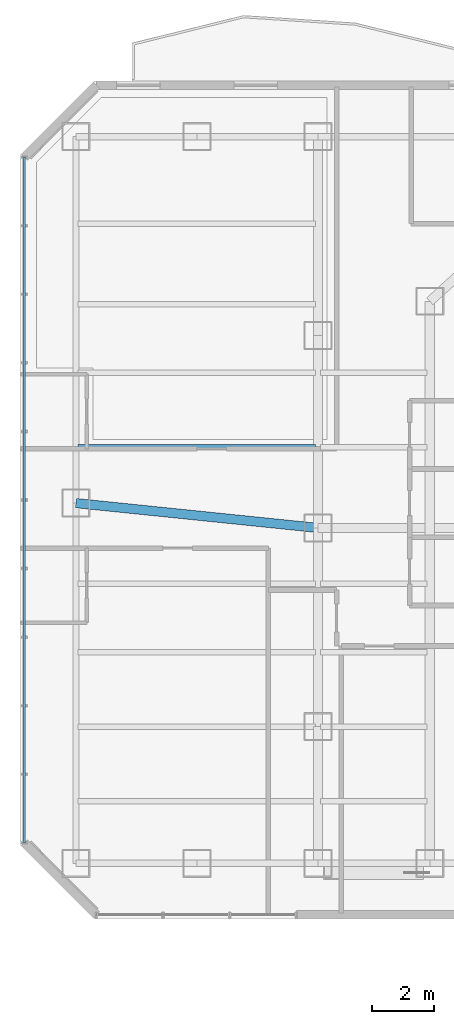
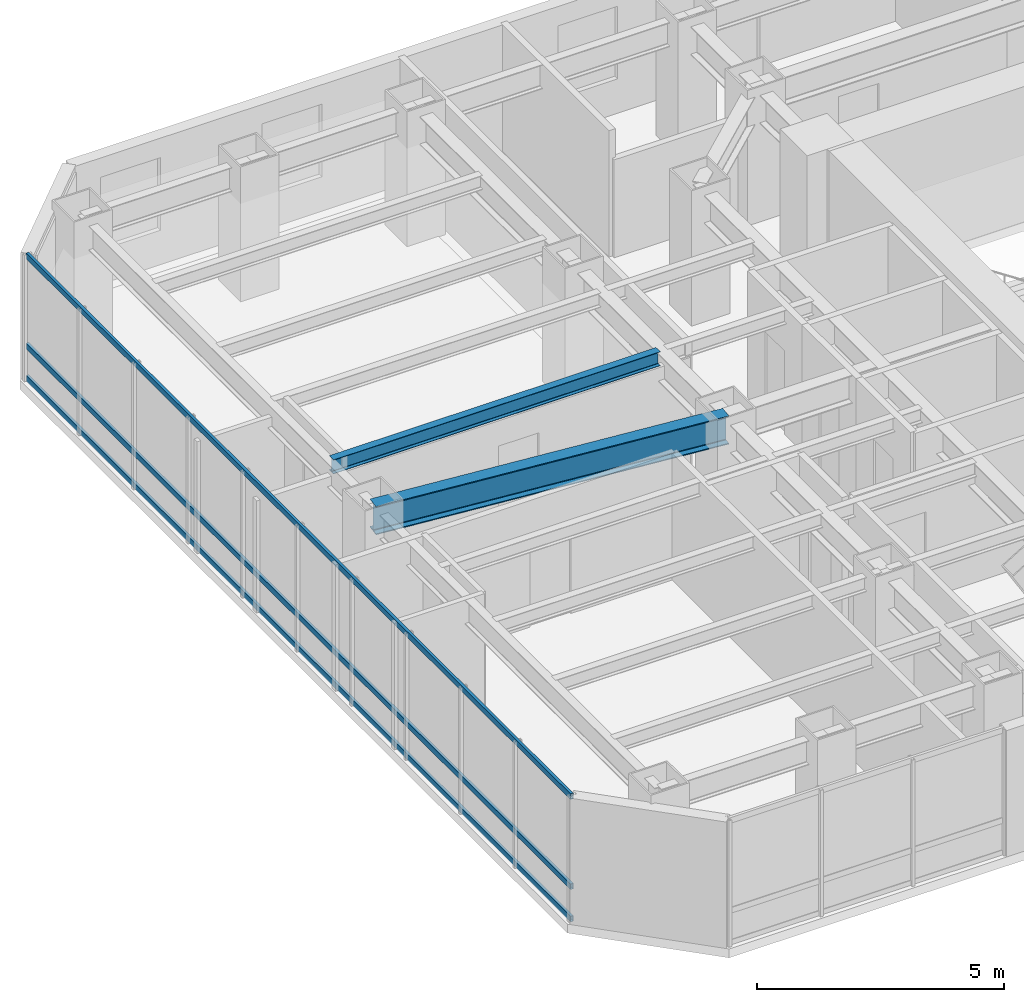
# One storey, part 14 of 31: 3 members, 2 beams, 1 element without a shape of its own.
"""IFC4 building model written with IfcOpenShell, lengths in metres."""

import ifcopenshell
import ifcopenshell.guid

model = None  # the IFC model being written
_history = None  # IfcOwnerHistory: only IFC2X3 demands one
_inside = {}  # id of a spatial element -> (the spatial element, [elements in it])
_under = {}  # id of a project, library or spatial element -> (it, [spatial elements below it])
_declared = {}  # id of a project -> (the project, [libraries it declares])
_typed = {}  # id of a type object -> (the type object, [elements of that type])
_made_of = {}  # id of a material, layer set ... -> (it, [elements and type objects made of it])


def new_model(schema):
    """Start an empty IFC model of exactly this schema.

    Asked for "IFC4X3", IfcOpenShell would pick the latest addendum, in which some entities
    have other attributes; the version numbers below select the first issue.
    IFC2X3 requires an IfcOwnerHistory on every rooted entity: one is made here for all.
    """
    global model, _history
    if schema == "IFC4X3":
        model = ifcopenshell.file(schema_version=(4, 3, 0, 0))
    else:
        model = ifcopenshell.file(schema=schema)
    _inside.clear()
    _under.clear()
    _declared.clear()
    _typed.clear()
    _made_of.clear()
    _history = None
    if model.schema == "IFC2X3":
        org = make("IfcOrganization", Name="unknown")
        user = make(
            "IfcPersonAndOrganization",
            ThePerson=make("IfcPerson", FamilyName="unknown"),
            TheOrganization=org,
        )
        app = make(
            "IfcApplication",
            ApplicationDeveloper=org,
            Version="unknown",
            ApplicationFullName="unknown",
            ApplicationIdentifier="unknown",
        )
        _history = make(
            "IfcOwnerHistory",
            OwningUser=user,
            OwningApplication=app,
            ChangeAction="ADDED",
            CreationDate=0,
        )
    return model


def make(cls, **values):
    """One entity of the class cls with the attributes given. An attribute that is None is left unset."""
    return model.create_entity(
        cls, **{name: value for name, value in values.items() if value is not None}
    )


def rooted(cls, **values):
    """An entity with a GlobalId (a new one), such as an element, a storey or a relation."""
    return make(cls, GlobalId=ifcopenshell.guid.new(), OwnerHistory=_history, **values)


def si_unit(unit_type, name, prefix=None):
    """IfcSIUnit, for example si_unit("LENGTHUNIT", "METRE", prefix="MILLI")."""
    return make("IfcSIUnit", UnitType=unit_type, Prefix=prefix, Name=name)


def assignment(units):
    """IfcUnitAssignment: the units of a project."""
    return None if units is None else make("IfcUnitAssignment", Units=units)


def point(xyz):
    """IfcCartesianPoint."""
    return None if xyz is None else make("IfcCartesianPoint", Coordinates=xyz)


def direction(xyz):
    """IfcDirection."""
    return None if xyz is None else make("IfcDirection", DirectionRatios=xyz)


def frame(location, z_axis=None, x_axis=None):
    """IfcAxis2Placement3D, a coordinate frame: its origin and axes. An axis left out is left unset."""
    return make(
        "IfcAxis2Placement3D",
        Location=point(location),
        Axis=direction(z_axis),
        RefDirection=direction(x_axis),
    )


def frame_2d(location, x_axis=None):
    """IfcAxis2Placement2D, a coordinate frame in the plane: its origin and x axis."""
    return make(
        "IfcAxis2Placement2D", Location=point(location), RefDirection=direction(x_axis)
    )


def origin():
    """The frame at (0, 0, 0) with its axes left unset."""
    return frame((0.0, 0.0, 0.0))


def origin_2d():
    """The frame at (0, 0) in the plane with its x axis left unset."""
    return frame_2d((0.0, 0.0))


def place(relative_to, where):
    """IfcLocalPlacement: puts the frame where relative to a parent placement (None: the world)."""
    return make(
        "IfcLocalPlacement", PlacementRelTo=relative_to, RelativePlacement=where
    )


def context(
    kind, dimensions, precision=None, world=None, true_north=None, identifier=None
):
    """IfcGeometricRepresentationContext, for example the 3D "Model" context."""
    return make(
        "IfcGeometricRepresentationContext",
        ContextIdentifier=identifier,
        ContextType=kind,
        CoordinateSpaceDimension=dimensions,
        Precision=precision,
        WorldCoordinateSystem=world,
        TrueNorth=true_north,
    )


def subcontext(parent, identifier, kind, view, scale=None):
    """IfcGeometricRepresentationSubContext, for example "Body" below "Model"."""
    return make(
        "IfcGeometricRepresentationSubContext",
        ContextIdentifier=identifier,
        ContextType=kind,
        ParentContext=parent,
        TargetScale=scale,
        TargetView=view,
    )


def project(units=None, contexts=None):
    """IfcProject with its units and contexts."""
    return rooted(
        "IfcProject",
        Name="project",
        RepresentationContexts=contexts,
        UnitsInContext=assignment(units),
    )


def spatial(cls, under=None, at=None, **own):
    """A site, building, storey or space (cls), placed at a placement, below another one or the project."""
    s = rooted(cls, ObjectPlacement=at, **own)
    if under is not None:
        _under.setdefault(under.id(), (under, []))[1].append(s)
    return s


def profile(cls, at=None, kind="AREA", **sizes):
    """A parametric profile (cls). Its sizes go by their IFC names, for example OverallWidth=200.0."""
    return make(cls, ProfileType=kind, Position=at, **sizes)


def hollow_rectangle(**sizes):
    """IfcRectangleHollowProfileDef."""
    return profile("IfcRectangleHollowProfileDef", **sizes)


def i_section(**sizes):
    """IfcIShapeProfileDef."""
    return profile("IfcIShapeProfileDef", **sizes)


def extrude(swept, where, along, depth):
    """IfcExtrudedAreaSolid: the profile swept, set in the frame where, extruded along a direction by depth."""
    return make(
        "IfcExtrudedAreaSolid",
        SweptArea=swept,
        Position=where,
        ExtrudedDirection=direction(along),
        Depth=depth,
    )


def shape(context_of_items, identifier, shape_type, items):
    """IfcShapeRepresentation: the items that make up one representation, for example the "Body"."""
    return make(
        "IfcShapeRepresentation",
        ContextOfItems=context_of_items,
        RepresentationIdentifier=identifier,
        RepresentationType=shape_type,
        Items=items,
    )


def material(Name=None, Category=None):
    """IfcMaterial."""
    return make("IfcMaterial", Name=Name, Category=Category)


def layer(
    of_material, thickness, ventilated=None, Name=None, Category=None, Priority=None
):
    """IfcMaterialLayer: one layer of a wall or slab, of a material (None: an air gap)."""
    return make(
        "IfcMaterialLayer",
        Material=of_material,
        LayerThickness=thickness,
        IsVentilated=ventilated,
        Name=Name,
        Category=Category,
        Priority=Priority,
    )


def layer_set(layers, Name=None):
    """IfcMaterialLayerSet."""
    return make("IfcMaterialLayerSet", MaterialLayers=layers, LayerSetName=Name)


def material_profile(
    of_material, cross_section, Name=None, Category=None, Priority=None
):
    """IfcMaterialProfile: a cross section and its material."""
    return make(
        "IfcMaterialProfile",
        Name=Name,
        Material=of_material,
        Profile=cross_section,
        Priority=Priority,
        Category=Category,
    )


def profile_set(profiles, Name=None, composite=None):
    """IfcMaterialProfileSet."""
    return make(
        "IfcMaterialProfileSet",
        Name=Name,
        MaterialProfiles=profiles,
        CompositeProfile=composite,
    )


def made_of(thing, what):
    """Note that an element or type object is made of a material, layer set ...; save() writes the relation."""
    if what is not None:
        _made_of.setdefault(what.id(), (what, []))[1].append(thing)
    return thing


def type_object(cls, material=None, **own):
    """A type object (cls), such as IfcWallType, which elements share."""
    return made_of(rooted(cls, **own), material)


def element(
    cls,
    number,
    at=None,
    inside=None,
    cuts=None,
    type_object=None,
    material=None,
    context=None,
    identifier="Body",
    shape_type=None,
    held_by="IfcProductDefinitionShape",
    body=None,
    shapes=None,
    **own,
):
    """One element of the class cls, such as IfcWall. Its Tag is "e" and its number.

    at: its placement. inside: the storey or other place that contains it. cuts: it is an
    opening in that element (IfcRelVoidsElement). A single representation is given by context,
    identifier, shape_type and body (its items); several are given by shapes. held_by: the class
    of the entity that holds the representations. save() writes the other relations.
    """
    e = rooted(cls, Tag="e%d" % number, ObjectPlacement=at, **own)
    if body is not None:
        shapes = [shape(context, identifier, shape_type, body)]
    if shapes is not None:
        e.Representation = make(held_by, Representations=shapes)
    if inside is not None:
        _inside.setdefault(inside.id(), (inside, []))[1].append(e)
    if cuts is not None:
        rooted(
            "IfcRelVoidsElement", RelatingBuildingElement=cuts, RelatedOpeningElement=e
        )
    if type_object is not None:
        _typed.setdefault(type_object.id(), (type_object, []))[1].append(e)
    return made_of(e, material)


def aggregate(whole, parts):
    """IfcRelAggregates: a whole, such as a stair, and the parts it consists of."""
    return rooted("IfcRelAggregates", RelatingObject=whole, RelatedObjects=parts)


def save(model, path):
    """Write the relations noted so far, then the file.

    IfcRelAggregates (storeys below a building ...), IfcRelContainedInSpatialStructure (elements
    in a storey), IfcRelDefinesByType, IfcRelAssociatesMaterial and IfcRelDeclares: one each for
    every whole, place, type object, material and project.
    """
    for whole, parts in _under.values():
        aggregate(whole, parts)
    for where, things in _inside.values():
        rooted(
            "IfcRelContainedInSpatialStructure",
            RelatedElements=things,
            RelatingStructure=where,
        )
    for kind, things in _typed.values():
        rooted("IfcRelDefinesByType", RelatedObjects=things, RelatingType=kind)
    for what, things in _made_of.values():
        rooted("IfcRelAssociatesMaterial", RelatedObjects=things, RelatingMaterial=what)
    for by, libraries in _declared.values():
        rooted("IfcRelDeclares", RelatingContext=by, RelatedDefinitions=libraries)
    model.write(path)


model = new_model("IFC4")

# Units and contexts
model_context = context("Model", 3, precision=1e-05, world=origin(), true_north=direction((0.0, 1.0)))
body_context = subcontext(model_context, "Body", "Model", "MODEL_VIEW")
ifc_project = project(units=[si_unit("LENGTHUNIT", "METRE"), si_unit("AREAUNIT", "SQUARE_METRE"), si_unit("VOLUMEUNIT", "CUBIC_METRE"), si_unit("PLANEANGLEUNIT", "RADIAN"), si_unit("MASSUNIT", "GRAM", prefix="KILO")], contexts=[model_context])

# Site, building, storey
site_placement = place(None, origin())
site = spatial("IfcSite", under=ifc_project, at=site_placement, CompositionType="ELEMENT")
building_placement = place(site_placement, origin())
building = spatial("IfcBuilding", under=site, at=building_placement, Name="Hatsunagi Terrace Concourse", CompositionType="ELEMENT")
storey_placement = place(building_placement, frame((0.0, 0.0, 77.949951171875)))
storey = spatial("IfcBuildingStorey", under=building, at=storey_placement, Name="L20", CompositionType="ELEMENT", Elevation=77.949951171875)

# Curtain wall, members
ifc_material_1 = material(Name="Anodised Aluminium Alloy 6063-T5", Category="aluminium")
ifc_layer = layer(ifc_material_1, 0.199951171875)
ifc_layer_set = layer_set([ifc_layer], Name="HotelFacade_CW02")
curtain_wall_type = type_object("IfcCurtainWallType", Name="HotelFacade_CW02", PredefinedType="NOTDEFINED", material=ifc_layer_set)
curtain_wall_placement = place(storey_placement, origin())
curtain_wall = element("IfcCurtainWall", 1, at=curtain_wall_placement, inside=storey, type_object=curtain_wall_type, Name="Unitised Curtain Wall CW-02 CW-L20-09", PredefinedType="NOTDEFINED")
ifc_material_2 = material(Name="Anodised Aluminium Alloy 6063-T5", Category="aluminium")
ifc_material_profile_1 = material_profile(ifc_material_2, hollow_rectangle(XDim=0.06494140625, YDim=0.139892578125, WallThickness=0.00390625, at=origin_2d()), Name="ALU-TRN-140x65x4")
ifc_profile_set_1 = profile_set([ifc_material_profile_1], Name="Anodised Aluminium Alloy 6063-T5")
member_type = type_object("IfcMemberType", Name="CurtainWallTransom_140x65", PredefinedType="USERDEFINED", material=ifc_profile_set_1)
member_1_placement = place(storey_placement, frame((9.739990234375, 25.85791015625, 0.050048828125), z_axis=(0.0, 1.0, 0.0), x_axis=(-1.0, 0.0, 0.0)))
member_1 = element("IfcMember", 2, at=member_1_placement, type_object=member_type, Name="Curtain Wall Transom TRN-02", ObjectType="TRANSOM", PredefinedType="USERDEFINED", context=body_context, shape_type="SweptSolid", body=[
    extrude(hollow_rectangle(XDim=0.06494140625, YDim=0.139892578125, WallThickness=0.00390625, at=origin_2d()), origin(), (0.0, 0.0, 1.0), 22.083984375),
])
member_2_placement = place(storey_placement, frame((9.739990234375, 25.85791015625, 0.85009765625), z_axis=(0.0, 1.0, 0.0), x_axis=(-1.0, 0.0, 0.0)))
member_2 = element("IfcMember", 3, at=member_2_placement, type_object=member_type, Name="Curtain Wall Transom TRN-02", ObjectType="TRANSOM", PredefinedType="USERDEFINED", context=body_context, shape_type="SweptSolid", body=[
    extrude(hollow_rectangle(XDim=0.06494140625, YDim=0.139892578125, WallThickness=0.00390625, at=origin_2d()), origin(), (0.0, 0.0, 1.0), 22.083984375),
])
member_3_placement = place(storey_placement, frame((9.739990234375, 25.85791015625, 3.080078125), z_axis=(0.0, 1.0, 0.0), x_axis=(-1.0, 0.0, 0.0)))
member_3 = element("IfcMember", 4, at=member_3_placement, type_object=member_type, Name="Curtain Wall Transom TRN-02", ObjectType="TRANSOM", PredefinedType="USERDEFINED", context=body_context, shape_type="SweptSolid", body=[
    extrude(hollow_rectangle(XDim=0.06494140625, YDim=0.139892578125, WallThickness=0.00390625, at=origin_2d()), origin(), (0.0, 0.0, 1.0), 22.083984375),
])
aggregate(curtain_wall, [member_1, member_2, member_3])

# Beams
ifc_material_3 = material(Name="Steel SN490B", Category="steel")
ifc_material_profile_2 = material_profile(ifc_material_3, i_section(OverallWidth=0.300048828125, OverallDepth=0.699951171875, WebThickness=0.012939453125, FlangeThickness=0.02392578125, FilletRadius=0.02197265625, at=origin_2d()), Name="H-700x300x13x24")
ifc_profile_set_2 = profile_set([ifc_material_profile_2], Name="Steel SN490B")
beam_type_1 = type_object("IfcBeamType", Name="HotelFloorGirder_H_700x300", PredefinedType="BEAM", material=ifc_profile_set_2)
beam_1_placement = place(storey_placement, frame((11.39990234375, 36.800048828125, 2.780029296875), z_axis=(0.994780871372, -0.102034395927, 0.0), x_axis=(0.102034395927, 0.994780871372, 0.0)))
element("IfcBeam", 5, at=beam_1_placement, inside=storey, type_object=beam_type_1, Name="Beam G-04 BM-L20-EW-2", PredefinedType="BEAM", context=body_context, shape_type="SweptSolid", body=[
    extrude(i_section(OverallWidth=0.300048828125, OverallDepth=0.699951171875, WebThickness=0.012939453125, FlangeThickness=0.02392578125, FilletRadius=0.02197265625, at=origin_2d()), origin(), (0.0, 0.0, 1.0), 7.841064453125),
])
ifc_material_4 = material(Name="Steel SN490B", Category="steel")
ifc_material_profile_3 = material_profile(ifc_material_4, i_section(OverallWidth=0.175048828125, OverallDepth=0.35009765625, WebThickness=0.007080078125, FlangeThickness=0.010986328125, FilletRadius=0.012939453125, at=origin_2d()), Name="H-350x175x7x11")
ifc_profile_set_3 = profile_set([ifc_material_profile_3], Name="Steel SN490B")
beam_type_2 = type_object("IfcBeamType", Name="HotelJoist_H_350x175", PredefinedType="JOIST", material=ifc_profile_set_3)
beam_2_placement = place(storey_placement, frame((11.465087890625, 38.60009765625, 2.955078125), z_axis=(1.0, 0.0, 0.0), x_axis=(0.0, 1.0, 0.0)))
element("IfcBeam", 6, at=beam_2_placement, inside=storey, type_object=beam_type_2, Name="Beam J-02 J-L20-W-11-386", PredefinedType="JOIST", context=body_context, shape_type="SweptSolid", body=[
    extrude(i_section(OverallWidth=0.175048828125, OverallDepth=0.35009765625, WebThickness=0.007080078125, FlangeThickness=0.010986328125, FilletRadius=0.012939453125, at=origin_2d()), origin(), (0.0, 0.0, 1.0), 7.64990234375),
])

save(model, "model.ifc")
